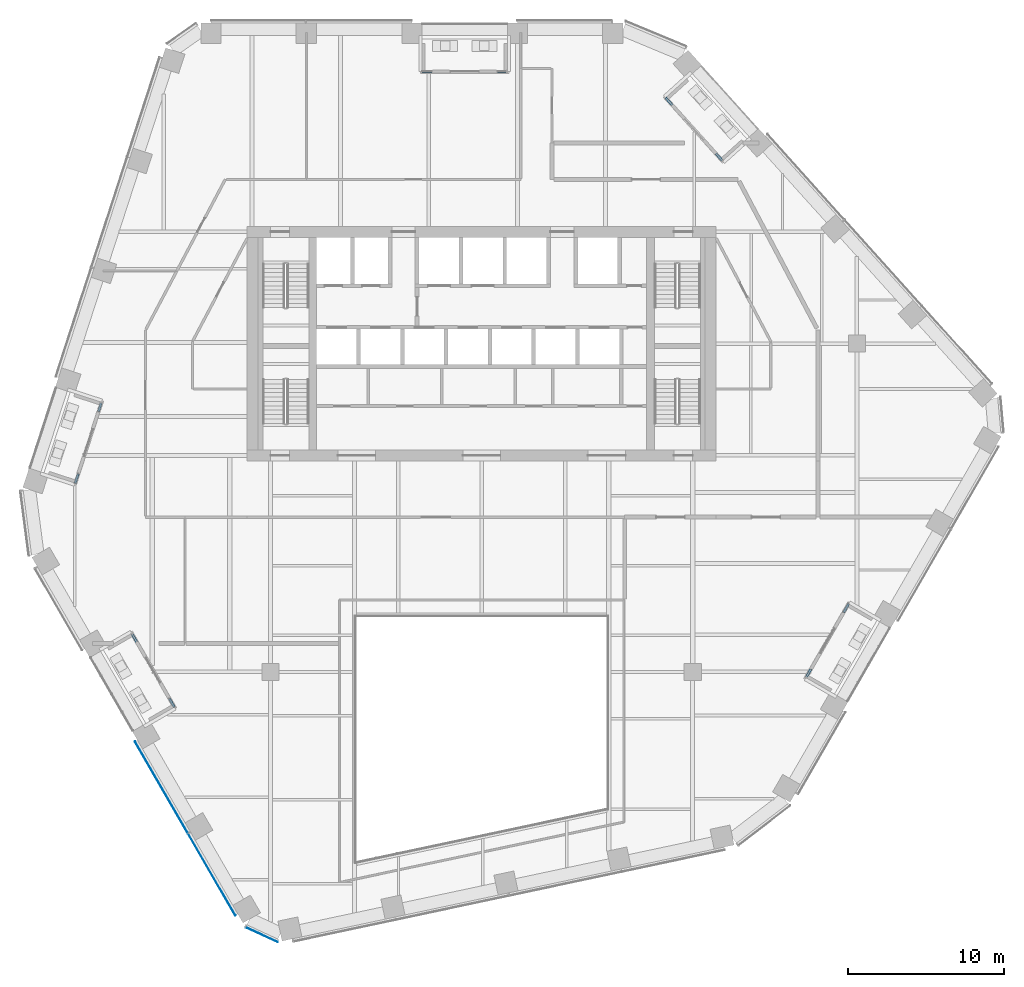
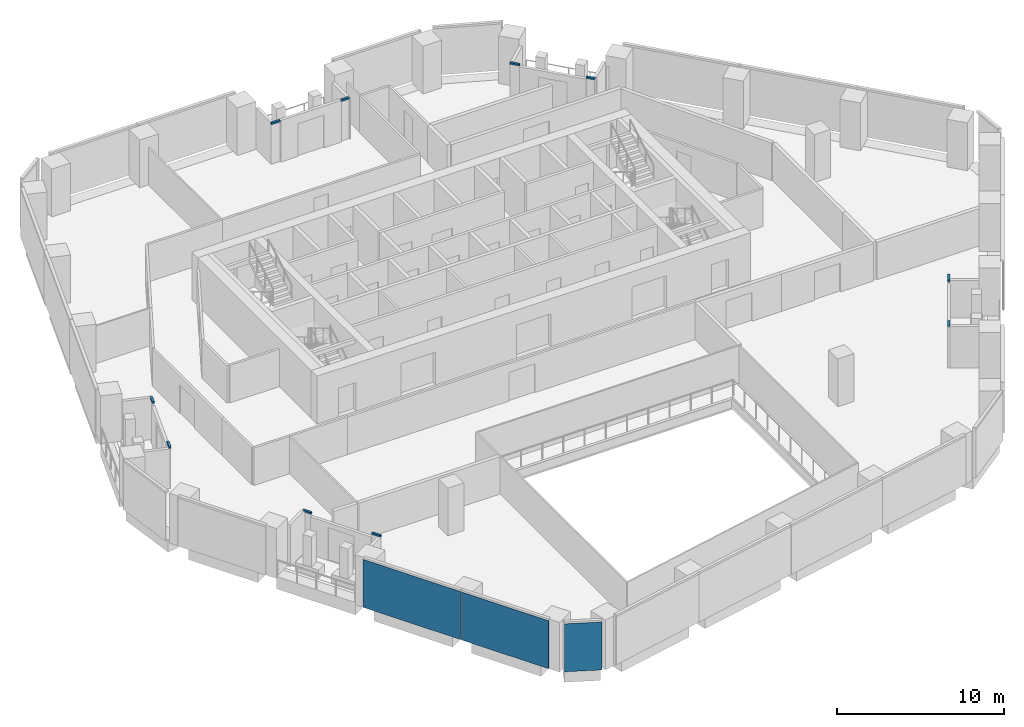
# One storey, part 11 of 25: 10 members, 3 plates, 7 elements without a shape of their own.
"""IFC4 building model written with IfcOpenShell, lengths in metres."""

from ifc_helpers import new_model, si_unit, direction, frame, origin, origin_2d, place, context, subcontext, project, spatial, rectangle, extrude, material, layer, layer_set, material_profile, profile_set, type_object, element, aggregate, save


model = new_model("IFC4")

# Units and contexts
model_context = context("Model", 3, precision=1e-05, world=origin(), true_north=direction((0.0, 1.0)))
body_context = subcontext(model_context, "Body", "Model", "MODEL_VIEW")
ifc_project = project(units=[si_unit("LENGTHUNIT", "METRE"), si_unit("AREAUNIT", "SQUARE_METRE"), si_unit("VOLUMEUNIT", "CUBIC_METRE"), si_unit("PLANEANGLEUNIT", "RADIAN"), si_unit("MASSUNIT", "GRAM", prefix="KILO")], contexts=[model_context])

# Site, building, storey
site_placement = place(None, origin())
site = spatial("IfcSite", under=ifc_project, at=site_placement, CompositionType="ELEMENT")
building_placement = place(site_placement, origin())
building = spatial("IfcBuilding", under=site, at=building_placement, Name="Isthmus Gate Tower", CompositionType="ELEMENT")
storey_placement = place(building_placement, frame((0.0, 0.0, 174.449951171875)))
storey = spatial("IfcBuildingStorey", under=building, at=storey_placement, Name="L43", CompositionType="ELEMENT", Elevation=174.449951171875)

# Curtain wall, members
ifc_material_1 = material(Name="Aluminium, pale champagne anodised", Category="aluminium")
ifc_layer_1 = layer(ifc_material_1, 0.14990234375)
ifc_layer_set_1 = layer_set([ifc_layer_1], Name="CW-6 LOGGIA BACK WALL GLAZING 150 DEEP")
curtain_wall_type_1 = type_object("IfcCurtainWallType", Name="CW-6 LOGGIA BACK WALL GLAZING 150 DEEP", PredefinedType="NOTDEFINED", material=ifc_layer_set_1)
curtain_wall_1_placement = place(storey_placement, origin())
curtain_wall_1 = element("IfcCurtainWall", 1, at=curtain_wall_1_placement, inside=storey, type_object=curtain_wall_type_1, Name="CW-6 N L43", PredefinedType="NOTDEFINED")
ifc_material_2 = material(Name="Aluminium, pale champagne anodised", Category="aluminium")
ifc_material_profile = material_profile(ifc_material_2, rectangle(XDim=0.14990234375, YDim=0.1201171875, at=origin_2d()), Name="150x120")
ifc_profile_set = profile_set([ifc_material_profile], Name="Aluminium, pale champagne anodised")
member_type = type_object("IfcMemberType", Name="CW-6 TRANSOM 150 X 120", PredefinedType="USERDEFINED", material=ifc_profile_set)
member_1_placement = place(storey_placement, frame((1.578369140625, 24.89990234375, 2.989990234375), z_axis=(-1.0, 0.0, 0.0), x_axis=(0.0, -1.0, 0.0)))
member_1 = element("IfcMember", 2, at=member_1_placement, type_object=member_type, Name="CW-6 transom", ObjectType="TRANSOM", PredefinedType="USERDEFINED", context=body_context, shape_type="SweptSolid", body=[
    extrude(rectangle(XDim=0.14990234375, YDim=0.1201171875, at=origin_2d()), origin(), (0.0, 0.0, 1.0), 0.56494140625),
])
member_2_placement = place(storey_placement, frame((-3.1865234375, 24.89990234375, 2.989990234375), z_axis=(-1.0, 0.0, 0.0), x_axis=(0.0, -1.0, 0.0)))
member_2 = element("IfcMember", 3, at=member_2_placement, type_object=member_type, Name="CW-6 transom", ObjectType="TRANSOM", PredefinedType="USERDEFINED", context=body_context, shape_type="SweptSolid", body=[
    extrude(rectangle(XDim=0.14990234375, YDim=0.1201171875, at=origin_2d()), origin(), (0.0, 0.0, 1.0), 0.625244140625),
])
aggregate(curtain_wall_1, [member_1, member_2])

curtain_wall_2_placement = place(storey_placement, origin())
curtain_wall_2 = element("IfcCurtainWall", 4, at=curtain_wall_2_placement, inside=storey, type_object=curtain_wall_type_1, Name="CW-6 NW L43", PredefinedType="NOTDEFINED")
member_3_placement = place(storey_placement, frame((-24.337646484375, 3.694580078125, 2.989990234375), z_axis=(-0.308898887891, -0.95109488331, 0.0), x_axis=(0.95109488331, -0.308898887891, 0.0)))
member_3 = element("IfcMember", 5, at=member_3_placement, type_object=member_type, Name="CW-6 transom", ObjectType="TRANSOM", PredefinedType="USERDEFINED", context=body_context, shape_type="SweptSolid", body=[
    extrude(rectangle(XDim=0.14990234375, YDim=0.1201171875, at=origin_2d()), origin(), (0.0, 0.0, 1.0), 0.560302734375),
])
member_4_placement = place(storey_placement, frame((-25.80859375, -0.832763671875, 2.989990234375), z_axis=(-0.309255103799, -0.950979116897, 0.0), x_axis=(0.950979116897, -0.309255103799, 0.0)))
member_4 = element("IfcMember", 6, at=member_4_placement, type_object=member_type, Name="CW-6 transom", ObjectType="TRANSOM", PredefinedType="USERDEFINED", context=body_context, shape_type="SweptSolid", body=[
    extrude(rectangle(XDim=0.14990234375, YDim=0.1201171875, at=origin_2d()), origin(), (0.0, 0.0, 1.0), 0.62060546875),
])
aggregate(curtain_wall_2, [member_3, member_4])

curtain_wall_3_placement = place(storey_placement, origin())
curtain_wall_3 = element("IfcCurtainWall", 7, at=curtain_wall_3_placement, inside=storey, type_object=curtain_wall_type_1, Name="CW-6 SW L43", PredefinedType="NOTDEFINED")
member_5_placement = place(storey_placement, frame((-22.353271484375, -11.0830078125, 2.989990234375), z_axis=(0.4998097115, -0.86613523903, 0.0), x_axis=(0.86613523903, 0.4998097115, 0.0)))
member_5 = element("IfcMember", 8, at=member_5_placement, type_object=member_type, Name="CW-6 transom", ObjectType="TRANSOM", PredefinedType="USERDEFINED", context=body_context, shape_type="SweptSolid", body=[
    extrude(rectangle(XDim=0.14990234375, YDim=0.1201171875, at=origin_2d()), origin(), (0.0, 0.0, 1.0), 0.565185546875),
])
member_6_placement = place(storey_placement, frame((-19.970703125, -15.209716796875, 2.989990234375), z_axis=(0.500004234368, -0.866022959057, 0.0), x_axis=(0.866022959057, 0.500004234368, 0.0)))
member_6 = element("IfcMember", 9, at=member_6_placement, type_object=member_type, Name="CW-6 transom", ObjectType="TRANSOM", PredefinedType="USERDEFINED", context=body_context, shape_type="SweptSolid", body=[
    extrude(rectangle(XDim=0.14990234375, YDim=0.1201171875, at=origin_2d()), origin(), (0.0, 0.0, 1.0), 0.625),
])
aggregate(curtain_wall_3, [member_5, member_6])

curtain_wall_4_placement = place(storey_placement, origin())
curtain_wall_4 = element("IfcCurtainWall", 10, at=curtain_wall_4_placement, inside=storey, type_object=curtain_wall_type_1, Name="CW-6 SE L43", PredefinedType="NOTDEFINED")
member_7_placement = place(storey_placement, frame((20.77490234375, -13.81689453125, 2.989990234375), z_axis=(0.4999967785, 0.866027263711, 0.0), x_axis=(-0.866027263711, 0.4999967785, 0.0)))
member_7 = element("IfcMember", 11, at=member_7_placement, type_object=member_type, Name="CW-6 transom", ObjectType="TRANSOM", PredefinedType="USERDEFINED", context=body_context, shape_type="SweptSolid", body=[
    extrude(rectangle(XDim=0.14990234375, YDim=0.1201171875, at=origin_2d()), origin(), (0.0, 0.0, 1.0), 0.56494140625),
])
member_8_placement = place(storey_placement, frame((23.157470703125, -9.690185546875, 2.989990234375), z_axis=(0.500004234368, 0.866022959057, 0.0), x_axis=(-0.866022959057, 0.500004234368, 0.0)))
member_8 = element("IfcMember", 12, at=member_8_placement, type_object=member_type, Name="CW-6 transom", ObjectType="TRANSOM", PredefinedType="USERDEFINED", context=body_context, shape_type="SweptSolid", body=[
    extrude(rectangle(XDim=0.14990234375, YDim=0.1201171875, at=origin_2d()), origin(), (0.0, 0.0, 1.0), 0.625),
])
aggregate(curtain_wall_4, [member_7, member_8])

curtain_wall_5_placement = place(storey_placement, origin())
curtain_wall_5 = element("IfcCurtainWall", 13, at=curtain_wall_5_placement, inside=storey, type_object=curtain_wall_type_1, Name="CW-6 NE L43", PredefinedType="NOTDEFINED")
member_9_placement = place(storey_placement, frame((15.368408203125, 19.229736328125, 2.989990234375), z_axis=(-0.669109122728, 0.743164168863, 0.0), x_axis=(-0.743164168863, -0.669109122728, 0.0)))
member_9 = element("IfcMember", 14, at=member_9_placement, type_object=member_type, Name="CW-6 transom", ObjectType="TRANSOM", PredefinedType="USERDEFINED", context=body_context, shape_type="SweptSolid", body=[
    extrude(rectangle(XDim=0.14990234375, YDim=0.1201171875, at=origin_2d()), origin(), (0.0, 0.0, 1.0), 0.560546875),
])
member_10_placement = place(storey_placement, frame((12.18310546875, 22.767333984375, 2.989990234375), z_axis=(-0.669160317893, 0.743118072016, 0.0), x_axis=(-0.743118072016, -0.669160317893, 0.0)))
member_10 = element("IfcMember", 15, at=member_10_placement, type_object=member_type, Name="CW-6 transom", ObjectType="TRANSOM", PredefinedType="USERDEFINED", context=body_context, shape_type="SweptSolid", body=[
    extrude(rectangle(XDim=0.14990234375, YDim=0.1201171875, at=origin_2d()), origin(), (0.0, 0.0, 1.0), 0.62060546875),
])
aggregate(curtain_wall_5, [member_9, member_10])

# Curtain wall, plates
ifc_material_3 = material(Name="Aluminium, pale champagne anodised", Category="aluminium")
ifc_layer_2 = layer(ifc_material_3, 0.199951171875)
ifc_layer_set_2 = layer_set([ifc_layer_2], Name="CW-1 UNITISED CURTAIN WALL 200 DEEP")
curtain_wall_type_2 = type_object("IfcCurtainWallType", Name="CW-1 UNITISED CURTAIN WALL 200 DEEP", PredefinedType="NOTDEFINED", material=ifc_layer_set_2)
curtain_wall_6_placement = place(storey_placement, origin())
curtain_wall_6 = element("IfcCurtainWall", 16, at=curtain_wall_6_placement, inside=storey, type_object=curtain_wall_type_2, Name="CW-1 SW L43", PredefinedType="NOTDEFINED")
ifc_material_4 = material(Name="Laminated low-iron glass, pale blue tint", Category="glass")
ifc_layer_3 = layer(ifc_material_4, 0.035888671875)
ifc_layer_set_3 = layer_set([ifc_layer_3], Name="CW-1 CLEAR GLASS LITE 36")
plate_type = type_object("IfcPlateType", Name="CW-1 CLEAR GLASS LITE 36", PredefinedType="CURTAIN_PANEL", material=ifc_layer_set_3)
plate_1_placement = place(storey_placement, frame((-20.488037109375, -20.8779296875, 0.0), z_axis=(0.0, 0.0, 1.0), x_axis=(0.5, -0.866025403784, 0.0)))
plate_1 = element("IfcPlate", 17, at=plate_1_placement, type_object=plate_type, Name="CW-1 glass lite", PredefinedType="CURTAIN_PANEL", context=body_context, shape_type="SweptSolid", body=[
    extrude(rectangle(XDim=6.750244140625, YDim=0.035888671875, at=origin_2d()), origin(), (0.0, 0.0, 1.0), 3.510009765625),
])
plate_2_placement = place(storey_placement, frame((-17.260498046875, -26.46826171875, 0.0), z_axis=(0.0, 0.0, 1.0), x_axis=(0.5, -0.866025403784, 0.0)))
plate_2 = element("IfcPlate", 18, at=plate_2_placement, type_object=plate_type, Name="CW-1 glass lite", PredefinedType="CURTAIN_PANEL", context=body_context, shape_type="SweptSolid", body=[
    extrude(rectangle(XDim=6.0400390625, YDim=0.035888671875, at=origin_2d()), origin(), (0.0, 0.0, 1.0), 3.510009765625),
])
aggregate(curtain_wall_6, [plate_1, plate_2])

# Curtain wall, plate
curtain_wall_7_placement = place(storey_placement, origin())
curtain_wall_7 = element("IfcCurtainWall", 19, at=curtain_wall_7_placement, inside=storey, type_object=curtain_wall_type_2, Name="CW-1 SW-S L43", PredefinedType="NOTDEFINED")
plate_3_placement = place(storey_placement, frame((-14.07373046875, -30.3095703125, 0.0), z_axis=(0.0, 0.0, 1.0), x_axis=(0.907256261367, -0.420578264073, 0.0)))
plate_3 = element("IfcPlate", 20, at=plate_3_placement, type_object=plate_type, Name="CW-1 glass lite", PredefinedType="CURTAIN_PANEL", context=body_context, shape_type="SweptSolid", body=[
    extrude(rectangle(XDim=2.258544921875, YDim=0.035888671875, at=origin_2d()), origin(), (0.0, 0.0, 1.0), 3.510009765625),
])
aggregate(curtain_wall_7, [plate_3])

save(model, "model.ifc")
